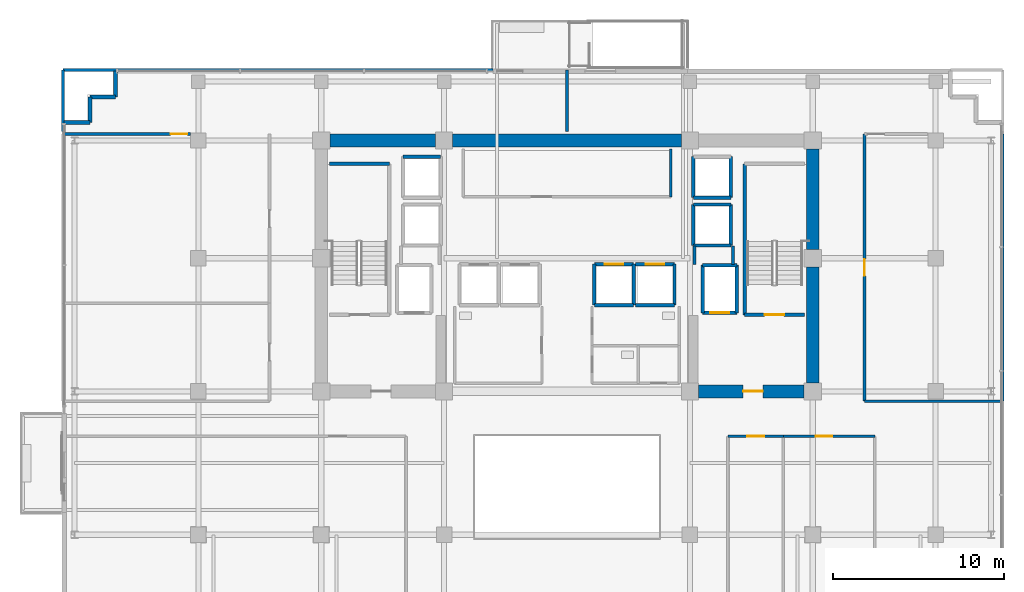
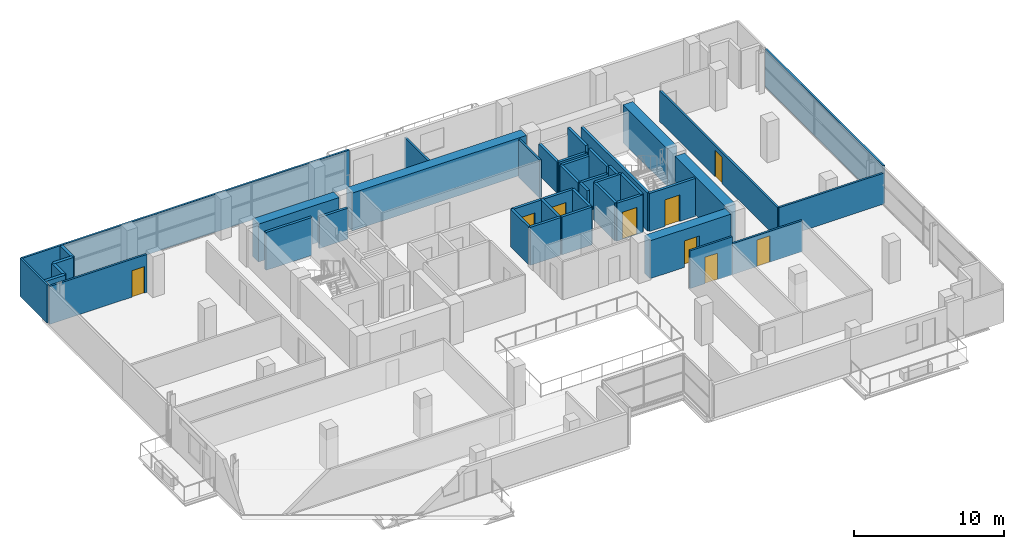
# One storey, part 22 of 28: 43 walls, 9 doors, 9 openings.
"""IFC4 building model written with IfcOpenShell, lengths in metres."""

from ifc_helpers import new_model, si_unit, direction, frame, frame_2d, origin, place, context, subcontext, project, spatial, rectangle, extrude, source, transform, mapped, material, layer, layer_set, type_object, element, fill, save


model = new_model("IFC4")

# Units and contexts
model_context = context("Model", 3, precision=1e-05, world=origin(), true_north=direction((0.0, 1.0)))
body_context = subcontext(model_context, "Body", "Model", "MODEL_VIEW")
ifc_project = project(units=[si_unit("LENGTHUNIT", "METRE"), si_unit("AREAUNIT", "SQUARE_METRE"), si_unit("VOLUMEUNIT", "CUBIC_METRE"), si_unit("PLANEANGLEUNIT", "RADIAN"), si_unit("MASSUNIT", "GRAM", prefix="KILO")], contexts=[model_context])

# Site, building, storey
site_placement = place(None, origin())
site = spatial("IfcSite", under=ifc_project, at=site_placement, CompositionType="ELEMENT")
building_placement = place(site_placement, origin())
building = spatial("IfcBuilding", under=site, at=building_placement, Name="Zarnakvel Exchange Tower", CompositionType="ELEMENT")
storey_placement = place(building_placement, frame((0.0, 0.0, 90.10009765625)))
storey = spatial("IfcBuildingStorey", under=building, at=storey_placement, Name="L24", CompositionType="ELEMENT", Elevation=90.10009765625)

# Walls
ifc_material_1 = material(Name="Concrete C60/75", Category="concrete")
ifc_layer_1 = layer(ifc_material_1, 0.75)
ifc_layer_set_1 = layer_set([ifc_layer_1], Name="Concrete C60/75")
wall_type_1 = type_object("IfcWallType", Name="CW-C3", PredefinedType="SHEAR", material=ifc_layer_set_1)
wall_1_placement = place(storey_placement, frame((-13.89990234375, 13.5, 0.0), z_axis=(0.0, 0.0, 1.0), x_axis=(1.0, 0.0, 0.0)))
element("IfcWall", 1, at=wall_1_placement, inside=storey, type_object=wall_type_1, Name="L24 Rear Core Shear Wall N1 (CW-C3)", PredefinedType="SHEAR", context=body_context, shape_type="SweptSolid", body=[
    extrude(rectangle(XDim=6.199951171875, YDim=0.75, at=frame_2d((3.10009765625, 0.0))), origin(), (0.0, 0.0, 1.0), 3.074951171875),
])
wall_2_placement = place(storey_placement, frame((-6.699951171875, 13.5, 0.0), z_axis=(0.0, 0.0, 1.0), x_axis=(1.0, 0.0, 0.0)))
element("IfcWall", 2, at=wall_2_placement, inside=storey, type_object=wall_type_1, Name="L24 Rear Core Shear Wall N2 (CW-C3)", PredefinedType="SHEAR", context=body_context, shape_type="SweptSolid", body=[
    extrude(rectangle(XDim=13.39990234375, YDim=0.75, at=frame_2d((6.699951171875, 0.0))), origin(), (0.0, 0.0, 1.0), 3.074951171875),
])
wall_3_placement = place(storey_placement, frame((14.39990234375, -0.699951171875, 0.0), z_axis=(0.0, 0.0, 1.0), x_axis=(0.0, 1.0, 0.0)))
element("IfcWall", 3, at=wall_3_placement, inside=storey, type_object=wall_type_1, Name="L24 Rear Core Shear Wall E1 (CW-C3)", PredefinedType="SHEAR", context=body_context, shape_type="SweptSolid", body=[
    extrude(rectangle(XDim=6.800048828125, YDim=0.75, at=frame_2d((3.39990234375, 0.0))), origin(), (0.0, 0.0, 1.0), 3.074951171875),
])
wall_4_placement = place(storey_placement, frame((14.39990234375, 7.10009765625, 0.0), z_axis=(0.0, 0.0, 1.0), x_axis=(0.0, 1.0, 0.0)))
element("IfcWall", 4, at=wall_4_placement, inside=storey, type_object=wall_type_1, Name="L24 Rear Core Shear Wall E2 (CW-C3)", PredefinedType="SHEAR", context=body_context, shape_type="SweptSolid", body=[
    extrude(rectangle(XDim=5.89990234375, YDim=0.75, at=frame_2d((2.949951171875, 0.0))), origin(), (0.0, 0.0, 1.0), 3.074951171875),
])

# Wall, opening, door
wall_5_placement = place(storey_placement, frame((13.89990234375, -1.199951171875, 0.0), z_axis=(0.0, 0.0, 1.0), x_axis=(-1.0, 0.0, 0.0)))
wall_5 = element("IfcWall", 5, at=wall_5_placement, inside=storey, type_object=wall_type_1, Name="L24 Rear Core Shear Wall SE (CW-C3)", PredefinedType="SHEAR", context=body_context, shape_type="SweptSolid", body=[
    extrude(rectangle(XDim=6.199951171875, YDim=0.75, at=frame_2d((3.10009765625, 0.0))), origin(), (0.0, 0.0, 1.0), 3.074951171875),
])
opening_1_placement = place(wall_5_placement, frame((2.425048828125, 0.0, 0.0)))
opening_1 = element("IfcOpeningElement", 6, at=opening_1_placement, cuts=wall_5, Name="Opening D-L24-04", PredefinedType="OPENING", context=body_context, shape_type="SweptSolid", body=[
    extrude(rectangle(XDim=1.14990234375, YDim=2.14990234375, at=frame_2d((0.574951171875, 1.074951171875))), frame((0.0, 0.385009765625, 0.0), z_axis=(0.0, -1.0, 0.0), x_axis=(1.0, 0.0, 0.0)), (0.0, 0.0, 1.0), 0.77001953125),
])
ifc_material_2 = material(Name="Painted Galvanised Steel S355", Category="steel")
door_type_1 = type_object("IfcDoorType", Name="DT-04", OperationType="NOTDEFINED", PredefinedType="DOOR", material=ifc_material_2)
shared_shape_1 = source(origin(), body_context, "Body", "SweptSolid", [
    extrude(rectangle(XDim=1.14990234375, YDim=2.14990234375, at=frame_2d((0.574951171875, 1.074951171875))), frame((0.0, 0.02490234375, 0.0), z_axis=(0.0, -1.0, 0.0), x_axis=(1.0, 0.0, 0.0)), (0.0, 0.0, 1.0), 0.050048828125),
])
door_1_placement = place(opening_1_placement, origin())
door_1 = element("IfcDoor", 7, at=door_1_placement, inside=storey, type_object=door_type_1, Name="L24 Firefighting Lobby East Door D-L24-04", OperationType="SINGLE_SWING_RIGHT", OverallHeight=2.14990234375, OverallWidth=1.14990234375, PredefinedType="DOOR", context=body_context, shape_type="MappedRepresentation", body=[
    mapped(shared_shape_1, transform((0.0, 0.0, 0.0), x_axis=(1.0, 0.0, 0.0), y_axis=(0.0, 1.0, 0.0), z_axis=(0.0, 0.0, 1.0), scale=1.0)),
])
fill(opening_1, door_1)

# Walls
ifc_material_3 = material(Name="Precast concrete C40/50", Category="concrete")
ifc_layer_2 = layer(ifc_material_3, 0.239990234375)
ifc_layer_set_2 = layer_set([ifc_layer_2], Name="Precast concrete C40/50")
wall_type_2 = type_object("IfcWallType", Name="EW-02", PredefinedType="SOLIDWALL", material=ifc_layer_set_2)
for number, where, z_axis, x_axis, name in (
    (8, (-27.9599609375, 14.56005859375, 0.0), (0.0, 0.0, 1.0), (-1.0, 0.0, 0.0), "L24 Exterior Precast Spandrel Wall EWC-L24-03 (EW-02)"),
    (9, (-27.9599609375, 16.06005859375, 0.0), (0.0, 0.0, 1.0), (0.0, -1.0, 0.0), "L24 Exterior Precast Spandrel Wall EWC-L24-04 (EW-02)"),
    (10, (-26.4599609375, 16.06005859375, 0.0), (0.0, 0.0, 1.0), (-1.0, 0.0, 0.0), "L24 Exterior Precast Spandrel Wall EWC-L24-05 (EW-02)"),
    (11, (-26.4599609375, 17.56005859375, 0.0), (0.0, 0.0, 1.0), (0.0, -1.0, 0.0), "L24 Exterior Precast Spandrel Wall EWC-L24-06 (EW-02)"),
):
    element("IfcWall", number, at=place(storey_placement, frame(where, z_axis=z_axis, x_axis=x_axis)), inside=storey, type_object=wall_type_2, Name=name, PredefinedType="SOLIDWALL", context=body_context, shape_type="SweptSolid", body=[
        extrude(rectangle(XDim=1.5, YDim=0.239990234375, at=frame_2d((0.75, 0.0))), origin(), (0.0, 0.0, 1.0), 3.074951171875),
    ])
ifc_material_4 = material(Name="Fire-Rated Gypsum Stud Partition", Category="gypsum")
ifc_layer_3 = layer(ifc_material_4, 0.14990234375)
ifc_layer_set_3 = layer_set([ifc_layer_3], Name="Fire-Rated Gypsum Stud Partition")
wall_type_3 = type_object("IfcWallType", Name="PT-01", PredefinedType="PARTITIONING", material=ifc_layer_set_3)
wall_6_placement = place(storey_placement, frame((6.080078125, 13.0, 0.0), z_axis=(0.0, 0.0, 1.0), x_axis=(0.0, -1.0, 0.0)))
element("IfcWall", 12, at=wall_6_placement, inside=storey, type_object=wall_type_3, Name="L24 Partition Wall PWALL-L24-013 (PT-01)", PredefinedType="PARTITIONING", context=body_context, shape_type="SweptSolid", body=[
    extrude(rectangle(XDim=2.800048828125, YDim=0.14990234375, at=frame_2d((1.39990234375, 0.0))), origin(), (0.0, 0.0, 1.0), 3.074951171875),
])

# Wall, opening, door
wall_7_placement = place(storey_placement, frame((9.429931640625, -3.830078125, 0.0), z_axis=(0.0, 0.0, 1.0), x_axis=(1.0, 0.0, 0.0)))
wall_7 = element("IfcWall", 13, at=wall_7_placement, inside=storey, type_object=wall_type_3, Name="L24 Partition Wall PWALL-L24-033 (PT-01)", PredefinedType="PARTITIONING", context=body_context, shape_type="SweptSolid", body=[
    extrude(rectangle(XDim=3.245361328125, YDim=0.14990234375, at=frame_2d((1.62255859375, 0.0))), origin(), (0.0, 0.0, 1.0), 3.074951171875),
])
opening_2_placement = place(wall_7_placement, frame((1.133056640625, 0.0, 0.0)))
opening_2 = element("IfcOpeningElement", 14, at=opening_2_placement, cuts=wall_7, Name="Opening D-L24-12", PredefinedType="OPENING", context=body_context, shape_type="SweptSolid", body=[
    extrude(rectangle(XDim=0.97998046875, YDim=2.14990234375, at=frame_2d((0.489990234375, 1.074951171875))), frame((0.0, 0.0849609375, 0.0), z_axis=(0.0, -1.0, 0.0), x_axis=(1.0, 0.0, 0.0)), (0.0, 0.0, 1.0), 0.169921875),
])
ifc_material_5 = material(Name="Timber Acoustic Veneer", Category="wood")
door_type_2 = type_object("IfcDoorType", Name="DT-05", OperationType="NOTDEFINED", PredefinedType="DOOR", material=ifc_material_5)
shared_shape_2 = source(origin(), body_context, "Body", "SweptSolid", [
    extrude(rectangle(XDim=0.97998046875, YDim=2.14990234375, at=frame_2d((0.489990234375, 1.074951171875))), frame((0.0, 0.02490234375, 0.0), z_axis=(0.0, -1.0, 0.0), x_axis=(1.0, 0.0, 0.0)), (0.0, 0.0, 1.0), 0.050048828125),
])
door_2_placement = place(opening_2_placement, origin())
door_2 = element("IfcDoor", 15, at=door_2_placement, inside=storey, type_object=door_type_2, Name="L24 Executive Office Door D-L24-12", OperationType="SINGLE_SWING_RIGHT", OverallHeight=2.14990234375, OverallWidth=0.97998046875, PredefinedType="DOOR", context=body_context, shape_type="MappedRepresentation", body=[
    mapped(shared_shape_2, transform((0.0, 0.0, 0.0), x_axis=(1.0, 0.0, 0.0), y_axis=(0.0, 1.0, 0.0), z_axis=(0.0, 0.0, 1.0), scale=1.0)),
])
fill(opening_2, door_2)

wall_8_placement = place(storey_placement, frame((12.67529296875, -3.830078125, 0.0), z_axis=(0.0, 0.0, 1.0), x_axis=(1.0, 0.0, 0.0)))
wall_8 = element("IfcWall", 16, at=wall_8_placement, inside=storey, type_object=wall_type_3, Name="L24 Partition Wall PWALL-L24-037 (PT-01)", PredefinedType="PARTITIONING", context=body_context, shape_type="SweptSolid", body=[
    extrude(rectangle(XDim=5.36669921875, YDim=0.14990234375, at=frame_2d((2.683349609375, 0.0))), origin(), (0.0, 0.0, 1.0), 2.514892578125),
])
opening_3_placement = place(wall_8_placement, frame((1.8876953125, 0.0, 0.0)))
opening_3 = element("IfcOpeningElement", 17, at=opening_3_placement, cuts=wall_8, Name="Opening D-L24-13", PredefinedType="OPENING", context=body_context, shape_type="SweptSolid", body=[
    extrude(rectangle(XDim=0.97998046875, YDim=2.14990234375, at=frame_2d((0.489990234375, 1.074951171875))), frame((0.0, 0.0849609375, 0.0), z_axis=(0.0, -1.0, 0.0), x_axis=(1.0, 0.0, 0.0)), (0.0, 0.0, 1.0), 0.169921875),
])
door_3_placement = place(opening_3_placement, origin())
door_3 = element("IfcDoor", 18, at=door_3_placement, inside=storey, type_object=door_type_2, Name="L24 Boardroom Door D-L24-13", OperationType="SINGLE_SWING_LEFT", OverallHeight=2.14990234375, OverallWidth=0.97998046875, PredefinedType="DOOR", context=body_context, shape_type="MappedRepresentation", body=[
    mapped(shared_shape_2, transform((0.0, 0.0, 0.0), x_axis=(1.0, 0.0, 0.0), y_axis=(0.0, 1.0, 0.0), z_axis=(0.0, 0.0, 1.0), scale=1.0)),
])
fill(opening_3, door_3)

wall_9_placement = place(storey_placement, frame((-29.530029296875, 13.8798828125, 0.0), z_axis=(0.0, 0.0, 1.0), x_axis=(1.0, 0.0, 0.0)))
wall_9 = element("IfcWall", 19, at=wall_9_placement, inside=storey, type_object=wall_type_3, Name="L24 Partition Wall PWALL-L24-046 (PT-01)", PredefinedType="PARTITIONING", context=body_context, shape_type="SweptSolid", body=[
    extrude(rectangle(XDim=7.4599609375, YDim=0.14990234375, at=frame_2d((3.72998046875, 0.0))), origin(), (0.0, 0.0, 1.0), 3.074951171875),
])
opening_4_placement = place(wall_9_placement, frame((6.300048828125, 0.0, 0.0)))
opening_4 = element("IfcOpeningElement", 20, at=opening_4_placement, cuts=wall_9, Name="Opening D-L24-18", PredefinedType="OPENING", context=body_context, shape_type="SweptSolid", body=[
    extrude(rectangle(XDim=0.97998046875, YDim=2.14990234375, at=frame_2d((0.489990234375, 1.074951171875))), frame((0.0, 0.0849609375, 0.0), z_axis=(0.0, -1.0, 0.0), x_axis=(1.0, 0.0, 0.0)), (0.0, 0.0, 1.0), 0.169921875),
])
door_4_placement = place(opening_4_placement, origin())
door_4 = element("IfcDoor", 21, at=door_4_placement, inside=storey, type_object=door_type_2, Name="L24 Market Data Suite Door D-L24-18", OperationType="SINGLE_SWING_RIGHT", OverallHeight=2.14990234375, OverallWidth=0.97998046875, PredefinedType="DOOR", context=body_context, shape_type="MappedRepresentation", body=[
    mapped(shared_shape_2, transform((0.0, 0.0, 0.0), x_axis=(1.0, 0.0, 0.0), y_axis=(0.0, 1.0, 0.0), z_axis=(0.0, 0.0, 1.0), scale=1.0)),
])
fill(opening_4, door_4)

# Wall
wall_10_placement = place(storey_placement, frame((25.530029296875, -1.77001953125, 0.0), z_axis=(0.0, 0.0, 1.0), x_axis=(-1.0, 0.0, 0.0)))
element("IfcWall", 22, at=wall_10_placement, inside=storey, type_object=wall_type_3, Name="L24 Partition Wall PWALL-L24-049 (PT-01)", PredefinedType="PARTITIONING", context=body_context, shape_type="SweptSolid", body=[
    extrude(rectangle(XDim=8.10009765625, YDim=0.14990234375, at=frame_2d((4.050048828125, 0.0))), origin(), (0.0, 0.0, 1.0), 2.514892578125),
])

# Wall, opening, door
wall_11_placement = place(storey_placement, frame((17.429931640625, -1.77001953125, 0.0), z_axis=(0.0, 0.0, 1.0), x_axis=(0.0, 1.0, 0.0)))
wall_11 = element("IfcWall", 23, at=wall_11_placement, inside=storey, type_object=wall_type_3, Name="L24 Partition Wall PWALL-L24-051 (PT-01)", PredefinedType="PARTITIONING", context=body_context, shape_type="SweptSolid", body=[
    extrude(rectangle(XDim=15.64990234375, YDim=0.14990234375, at=frame_2d((7.824951171875, 0.0))), origin(), (0.0, 0.0, 1.0), 2.514892578125),
])
opening_5_placement = place(wall_11_placement, frame((7.3349609375, 0.0, 0.0)))
opening_5 = element("IfcOpeningElement", 24, at=opening_5_placement, cuts=wall_11, Name="Opening D-L24-17", PredefinedType="OPENING", context=body_context, shape_type="SweptSolid", body=[
    extrude(rectangle(XDim=0.97998046875, YDim=2.14990234375, at=frame_2d((0.489990234375, 1.074951171875))), frame((0.0, 0.0849609375, 0.0), z_axis=(0.0, -1.0, 0.0), x_axis=(1.0, 0.0, 0.0)), (0.0, 0.0, 1.0), 0.169921875),
])
door_5_placement = place(opening_5_placement, origin())
door_5 = element("IfcDoor", 25, at=door_5_placement, inside=storey, type_object=door_type_2, Name="L24 Staff Pantry Door D-L24-17", OperationType="SINGLE_SWING_LEFT", OverallHeight=2.14990234375, OverallWidth=0.97998046875, PredefinedType="DOOR", context=body_context, shape_type="MappedRepresentation", body=[
    mapped(shared_shape_2, transform((0.0, 0.0, 0.0), x_axis=(1.0, 0.0, 0.0), y_axis=(0.0, 1.0, 0.0), z_axis=(0.0, 0.0, 1.0), scale=1.0)),
])
fill(opening_5, door_5)

# Walls
wall_12_placement = place(storey_placement, frame((25.530029296875, 13.8798828125, 0.0), z_axis=(0.0, 0.0, 1.0), x_axis=(0.0, -1.0, 0.0)))
element("IfcWall", 26, at=wall_12_placement, inside=storey, type_object=wall_type_3, Name="L24 Partition Wall PWALL-L24-052 (PT-01)", PredefinedType="PARTITIONING", context=body_context, shape_type="SweptSolid", body=[
    extrude(rectangle(XDim=15.64990234375, YDim=0.14990234375, at=frame_2d((7.824951171875, 0.0))), origin(), (0.0, 0.0, 1.0), 3.074951171875),
])
wall_13_placement = place(storey_placement, frame((-29.530029296875, 17.6298828125, 0.0), z_axis=(0.0, 0.0, 1.0), x_axis=(1.0, 0.0, 0.0)))
element("IfcWall", 27, at=wall_13_placement, inside=storey, type_object=wall_type_3, Name="L24 Partition Wall PWALL-L24-053 (PT-01)", PredefinedType="PARTITIONING", context=body_context, shape_type="SweptSolid", body=[
    extrude(rectangle(XDim=25.179931640625, YDim=0.14990234375, at=frame_2d((12.58984375, 0.0))), origin(), (0.0, 0.0, 1.0), 3.074951171875),
])
wall_14_placement = place(storey_placement, frame((-29.530029296875, 14.030029296875, 0.0), z_axis=(0.0, 0.0, 1.0), x_axis=(0.0, 1.0, 0.0)))
element("IfcWall", 28, at=wall_14_placement, inside=storey, type_object=wall_type_3, Name="L24 Partition Wall PWALL-L24-054 (PT-01)", PredefinedType="PARTITIONING", context=body_context, shape_type="SweptSolid", body=[
    extrude(rectangle(XDim=3.599853515625, YDim=0.14990234375, at=frame_2d((1.7998046875, 0.0))), origin(), (0.0, 0.0, 1.0), 3.074951171875),
])
wall_15_placement = place(storey_placement, frame((0.0, 17.6298828125, 0.0), z_axis=(0.0, 0.0, 1.0), x_axis=(0.0, -1.0, 0.0)))
element("IfcWall", 29, at=wall_15_placement, inside=storey, type_object=wall_type_3, Name="L24 Partition Wall PWALL-L24-055 (PT-01)", PredefinedType="PARTITIONING", context=body_context, shape_type="SweptSolid", body=[
    extrude(rectangle(XDim=3.599853515625, YDim=0.14990234375, at=frame_2d((1.7998046875, 0.0))), origin(), (0.0, 0.0, 1.0), 2.56494140625),
])
ifc_layer_4 = layer(ifc_material_4, 0.179931640625)
ifc_layer_set_4 = layer_set([ifc_layer_4], Name="Fire-Rated Gypsum Stud Partition")
wall_type_4 = type_object("IfcWallType", Name="PT-02", PredefinedType="PARTITIONING", material=ifc_layer_set_4)
wall_16_placement = place(storey_placement, frame((7.469970703125, 6.239990234375, 0.0), z_axis=(0.0, 0.0, 1.0), x_axis=(0.0, 1.0, 0.0)))
element("IfcWall", 30, at=wall_16_placement, inside=storey, type_object=wall_type_4, Name="L24 Partition Wall PWALL-L24-009 (PT-02)", PredefinedType="PARTITIONING", context=body_context, shape_type="SweptSolid", body=[
    extrude(rectangle(XDim=1.090087890625, YDim=0.179931640625, at=frame_2d((0.544921875, 0.0))), origin(), (0.0, 0.0, 1.0), 2.514892578125),
])
wall_17_placement = place(storey_placement, frame((9.72998046875, 7.330078125, 0.0), z_axis=(0.0, 0.0, 1.0), x_axis=(0.0, -1.0, 0.0)))
element("IfcWall", 31, at=wall_17_placement, inside=storey, type_object=wall_type_4, Name="L24 Partition Wall PWALL-L24-010 (PT-02)", PredefinedType="PARTITIONING", context=body_context, shape_type="SweptSolid", body=[
    extrude(rectangle(XDim=1.090087890625, YDim=0.179931640625, at=frame_2d((0.544921875, 0.0))), origin(), (0.0, 0.0, 1.0), 3.074951171875),
])

# Wall, opening, door
ifc_material_6 = material(Name="Concrete C40/50", Category="concrete")
ifc_layer_5 = layer(ifc_material_6, 0.199951171875)
ifc_layer_set_5 = layer_set([ifc_layer_5], Name="Concrete C40/50")
wall_type_5 = type_object("IfcWallType", Name="SW-01", PredefinedType="SOLIDWALL", material=ifc_layer_set_5)
wall_18_placement = place(storey_placement, frame((9.949951171875, 3.39990234375, 0.0), z_axis=(0.0, 0.0, 1.0), x_axis=(-1.0, 0.0, 0.0)))
wall_18 = element("IfcWall", 32, at=wall_18_placement, inside=storey, type_object=wall_type_5, Name="L24 FL-02 Hoistway Wall South", PredefinedType="SOLIDWALL", context=body_context, shape_type="SweptSolid", body=[
    extrude(rectangle(XDim=2.0, YDim=0.199951171875, at=frame_2d((1.0, 0.0))), origin(), (0.0, 0.0, 1.0), 3.074951171875),
])
opening_6_placement = place(wall_18_placement, frame((0.449951171875, 0.0, 0.0)))
opening_6 = element("IfcOpeningElement", 33, at=opening_6_placement, cuts=wall_18, Name="Opening LD-FL-02-L24", PredefinedType="OPENING", context=body_context, shape_type="SweptSolid", body=[
    extrude(rectangle(XDim=1.10009765625, YDim=2.199951171875, at=frame_2d((0.550048828125, 1.10009765625))), frame((0.0, 0.10986328125, 0.0), z_axis=(0.0, -1.0, 0.0), x_axis=(1.0, 0.0, 0.0)), (0.0, 0.0, 1.0), 0.219970703125),
])
ifc_material_7 = material(Name="Brushed Stainless Steel", Category="steel")
door_type_3 = type_object("IfcDoorType", Name="LDT-01", OperationType="NOTDEFINED", PredefinedType="DOOR", material=ifc_material_7)
shared_shape_3 = source(origin(), body_context, "Body", "SweptSolid", [
    extrude(rectangle(XDim=1.10009765625, YDim=2.199951171875, at=frame_2d((0.550048828125, 1.10009765625))), frame((0.0, 0.02490234375, 0.0), z_axis=(0.0, -1.0, 0.0), x_axis=(1.0, 0.0, 0.0)), (0.0, 0.0, 1.0), 0.050048828125),
])
door_6_placement = place(opening_6_placement, origin())
door_6 = element("IfcDoor", 34, at=door_6_placement, inside=storey, type_object=door_type_3, Name="L24 FL-02 Lift Landing Door LD-FL-02-L24", OperationType="DOUBLE_DOOR_SLIDING", OverallHeight=2.199951171875, OverallWidth=1.10009765625, PredefinedType="DOOR", context=body_context, shape_type="MappedRepresentation", body=[
    mapped(shared_shape_3, transform((0.0, 0.0, 0.0), x_axis=(1.0, 0.0, 0.0), y_axis=(0.0, 1.0, 0.0), z_axis=(0.0, 0.0, 1.0), scale=1.0)),
])
fill(opening_6, door_6)

# Walls
wall_19_placement = place(storey_placement, frame((7.949951171875, 6.199951171875, 0.0), z_axis=(0.0, 0.0, 1.0), x_axis=(1.0, 0.0, 0.0)))
element("IfcWall", 35, at=wall_19_placement, inside=storey, type_object=wall_type_5, Name="L24 FL-02 Hoistway Wall North", PredefinedType="SOLIDWALL", context=body_context, shape_type="SweptSolid", body=[
    extrude(rectangle(XDim=2.0, YDim=0.199951171875, at=frame_2d((1.0, 0.0))), origin(), (0.0, 0.0, 1.0), 3.074951171875),
])
for number, where, z_axis, x_axis, name in (
    (36, (7.949951171875, 3.39990234375, 0.0), (0.0, 0.0, 1.0), (0.0, 1.0, 0.0), "L24 FL-02 Hoistway Wall West"),
    (37, (9.949951171875, 6.199951171875, 0.0), (0.0, 0.0, 1.0), (0.0, -1.0, 0.0), "L24 FL-02 Hoistway Wall East"),
):
    element("IfcWall", number, at=place(storey_placement, frame(where, z_axis=z_axis, x_axis=x_axis)), inside=storey, type_object=wall_type_5, Name=name, PredefinedType="SOLIDWALL", context=body_context, shape_type="SweptSolid", body=[
        extrude(rectangle(XDim=2.800048828125, YDim=0.199951171875, at=frame_2d((1.39990234375, 0.0))), origin(), (0.0, 0.0, 1.0), 3.074951171875),
    ])
wall_20_placement = place(storey_placement, frame((3.89990234375, 3.85009765625, 0.0), z_axis=(0.0, 0.0, 1.0), x_axis=(-1.0, 0.0, 0.0)))
element("IfcWall", 38, at=wall_20_placement, inside=storey, type_object=wall_type_5, Name="L24 PL-07 Hoistway Wall South", PredefinedType="SOLIDWALL", context=body_context, shape_type="SweptSolid", body=[
    extrude(rectangle(XDim=2.2998046875, YDim=0.199951171875, at=frame_2d((1.14990234375, 0.0))), origin(), (0.0, 0.0, 1.0), 3.074951171875),
])

# Wall, opening, door
wall_21_placement = place(storey_placement, frame((1.60009765625, 6.25, 0.0), z_axis=(0.0, 0.0, 1.0), x_axis=(1.0, 0.0, 0.0)))
wall_21 = element("IfcWall", 39, at=wall_21_placement, inside=storey, type_object=wall_type_5, Name="L24 PL-07 Hoistway Wall North", PredefinedType="SOLIDWALL", context=body_context, shape_type="SweptSolid", body=[
    extrude(rectangle(XDim=2.2998046875, YDim=0.199951171875, at=frame_2d((1.14990234375, 0.0))), origin(), (0.0, 0.0, 1.0), 3.074951171875),
])
opening_7_placement = place(wall_21_placement, frame((0.60009765625, 0.0, 0.0)))
opening_7 = element("IfcOpeningElement", 40, at=opening_7_placement, cuts=wall_21, Name="Opening LD-PL-07-L24", PredefinedType="OPENING", context=body_context, shape_type="SweptSolid", body=[
    extrude(rectangle(XDim=1.10009765625, YDim=2.199951171875, at=frame_2d((0.550048828125, 1.10009765625))), frame((0.0, 0.10986328125, 0.0), z_axis=(0.0, -1.0, 0.0), x_axis=(1.0, 0.0, 0.0)), (0.0, 0.0, 1.0), 0.219970703125),
])
ifc_material_8 = material(Name="Architectural Bronze Anodised Aluminium", Category="aluminium")
door_type_4 = type_object("IfcDoorType", Name="LDT-02", OperationType="NOTDEFINED", PredefinedType="DOOR", material=ifc_material_8)
door_7_placement = place(opening_7_placement, origin())
door_7 = element("IfcDoor", 41, at=door_7_placement, inside=storey, type_object=door_type_4, Name="L24 PL-07 Lift Landing Door LD-PL-07-L24", OperationType="DOUBLE_DOOR_SLIDING", OverallHeight=2.199951171875, OverallWidth=1.10009765625, PredefinedType="DOOR", context=body_context, shape_type="MappedRepresentation", body=[
    mapped(shared_shape_3, transform((0.0, 0.0, 0.0), x_axis=(1.0, 0.0, 0.0), y_axis=(0.0, 1.0, 0.0), z_axis=(0.0, 0.0, 1.0), scale=1.0)),
])
fill(opening_7, door_7)

# Walls
for number, where, z_axis, x_axis, name in (
    (42, (1.60009765625, 3.85009765625, 0.0), (0.0, 0.0, 1.0), (0.0, 1.0, 0.0), "L24 PL-07 Hoistway Wall West"),
    (43, (3.89990234375, 6.25, 0.0), (0.0, 0.0, 1.0), (0.0, -1.0, 0.0), "L24 PL-07 Hoistway Wall East"),
):
    element("IfcWall", number, at=place(storey_placement, frame(where, z_axis=z_axis, x_axis=x_axis)), inside=storey, type_object=wall_type_5, Name=name, PredefinedType="SOLIDWALL", context=body_context, shape_type="SweptSolid", body=[
        extrude(rectangle(XDim=2.39990234375, YDim=0.199951171875, at=frame_2d((1.199951171875, 0.0))), origin(), (0.0, 0.0, 1.0), 3.074951171875),
    ])
wall_22_placement = place(storey_placement, frame((6.300048828125, 3.85009765625, 0.0), z_axis=(0.0, 0.0, 1.0), x_axis=(-1.0, 0.0, 0.0)))
element("IfcWall", 44, at=wall_22_placement, inside=storey, type_object=wall_type_5, Name="L24 PL-08 Hoistway Wall South", PredefinedType="SOLIDWALL", context=body_context, shape_type="SweptSolid", body=[
    extrude(rectangle(XDim=2.300048828125, YDim=0.199951171875, at=frame_2d((1.14990234375, 0.0))), origin(), (0.0, 0.0, 1.0), 3.074951171875),
])

# Wall, opening, door
wall_23_placement = place(storey_placement, frame((4.0, 6.25, 0.0), z_axis=(0.0, 0.0, 1.0), x_axis=(1.0, 0.0, 0.0)))
wall_23 = element("IfcWall", 45, at=wall_23_placement, inside=storey, type_object=wall_type_5, Name="L24 PL-08 Hoistway Wall North", PredefinedType="SOLIDWALL", context=body_context, shape_type="SweptSolid", body=[
    extrude(rectangle(XDim=2.300048828125, YDim=0.199951171875, at=frame_2d((1.14990234375, 0.0))), origin(), (0.0, 0.0, 1.0), 3.074951171875),
])
opening_8_placement = place(wall_23_placement, frame((0.60009765625, 0.0, 0.0)))
opening_8 = element("IfcOpeningElement", 46, at=opening_8_placement, cuts=wall_23, Name="Opening LD-PL-08-L24", PredefinedType="OPENING", context=body_context, shape_type="SweptSolid", body=[
    extrude(rectangle(XDim=1.10009765625, YDim=2.199951171875, at=frame_2d((0.550048828125, 1.10009765625))), frame((0.0, 0.10986328125, 0.0), z_axis=(0.0, -1.0, 0.0), x_axis=(1.0, 0.0, 0.0)), (0.0, 0.0, 1.0), 0.219970703125),
])
door_8_placement = place(opening_8_placement, origin())
door_8 = element("IfcDoor", 47, at=door_8_placement, inside=storey, type_object=door_type_4, Name="L24 PL-08 Lift Landing Door LD-PL-08-L24", OperationType="DOUBLE_DOOR_SLIDING", OverallHeight=2.199951171875, OverallWidth=1.10009765625, PredefinedType="DOOR", context=body_context, shape_type="MappedRepresentation", body=[
    mapped(shared_shape_3, transform((0.0, 0.0, 0.0), x_axis=(1.0, 0.0, 0.0), y_axis=(0.0, 1.0, 0.0), z_axis=(0.0, 0.0, 1.0), scale=1.0)),
])
fill(opening_8, door_8)

# Walls
wall_24_placement = place(storey_placement, frame((6.300048828125, 6.25, 0.0), z_axis=(0.0, 0.0, 1.0), x_axis=(0.0, -1.0, 0.0)))
element("IfcWall", 48, at=wall_24_placement, inside=storey, type_object=wall_type_5, Name="L24 PL-08 Hoistway Wall East", PredefinedType="SOLIDWALL", context=body_context, shape_type="SweptSolid", body=[
    extrude(rectangle(XDim=2.39990234375, YDim=0.199951171875, at=frame_2d((1.199951171875, 0.0))), origin(), (0.0, 0.0, 1.0), 3.074951171875),
])
for number, where, z_axis, x_axis, name in (
    (49, (-9.60009765625, 12.550048828125, 0.0), (0.0, 0.0, 1.0), (1.0, 0.0, 0.0), "L24 PL-10 Hoistway Wall North"),
    (50, (9.60009765625, 7.35009765625, 0.0), (0.0, 0.0, 1.0), (-1.0, 0.0, 0.0), "L24 PL-11 Hoistway Wall South"),
    (51, (7.39990234375, 9.75, 0.0), (0.0, 0.0, 1.0), (1.0, 0.0, 0.0), "L24 PL-11 Hoistway Wall North"),
):
    element("IfcWall", number, at=place(storey_placement, frame(where, z_axis=z_axis, x_axis=x_axis)), inside=storey, type_object=wall_type_5, Name=name, PredefinedType="SOLIDWALL", context=body_context, shape_type="SweptSolid", body=[
        extrude(rectangle(XDim=2.2001953125, YDim=0.199951171875, at=frame_2d((1.10009765625, 0.0))), origin(), (0.0, 0.0, 1.0), 2.514892578125),
    ])
wall_25_placement = place(storey_placement, frame((7.39990234375, 7.35009765625, 0.0), z_axis=(0.0, 0.0, 1.0), x_axis=(0.0, 1.0, 0.0)))
element("IfcWall", 52, at=wall_25_placement, inside=storey, type_object=wall_type_5, Name="L24 PL-11 Hoistway Wall West", PredefinedType="SOLIDWALL", context=body_context, shape_type="SweptSolid", body=[
    extrude(rectangle(XDim=2.39990234375, YDim=0.199951171875, at=frame_2d((1.199951171875, 0.0))), origin(), (0.0, 0.0, 1.0), 2.514892578125),
])
wall_26_placement = place(storey_placement, frame((9.60009765625, 9.75, 0.0), z_axis=(0.0, 0.0, 1.0), x_axis=(0.0, -1.0, 0.0)))
element("IfcWall", 53, at=wall_26_placement, inside=storey, type_object=wall_type_5, Name="L24 PL-11 Hoistway Wall East", PredefinedType="SOLIDWALL", context=body_context, shape_type="SweptSolid", body=[
    extrude(rectangle(XDim=2.39990234375, YDim=0.199951171875, at=frame_2d((1.199951171875, 0.0))), origin(), (0.0, 0.0, 1.0), 3.074951171875),
])
wall_27_placement = place(storey_placement, frame((9.60009765625, 10.14990234375, 0.0), z_axis=(0.0, 0.0, 1.0), x_axis=(-1.0, 0.0, 0.0)))
element("IfcWall", 54, at=wall_27_placement, inside=storey, type_object=wall_type_5, Name="L24 PL-12 Hoistway Wall South", PredefinedType="SOLIDWALL", context=body_context, shape_type="SweptSolid", body=[
    extrude(rectangle(XDim=2.2001953125, YDim=0.199951171875, at=frame_2d((1.10009765625, 0.0))), origin(), (0.0, 0.0, 1.0), 2.514892578125),
])
wall_28_placement = place(storey_placement, frame((7.39990234375, 10.14990234375, 0.0), z_axis=(0.0, 0.0, 1.0), x_axis=(0.0, 1.0, 0.0)))
element("IfcWall", 55, at=wall_28_placement, inside=storey, type_object=wall_type_5, Name="L24 PL-12 Hoistway Wall West", PredefinedType="SOLIDWALL", context=body_context, shape_type="SweptSolid", body=[
    extrude(rectangle(XDim=2.400146484375, YDim=0.199951171875, at=frame_2d((1.2001953125, 0.0))), origin(), (0.0, 0.0, 1.0), 2.514892578125),
])
wall_29_placement = place(storey_placement, frame((9.60009765625, 12.550048828125, 0.0), z_axis=(0.0, 0.0, 1.0), x_axis=(0.0, -1.0, 0.0)))
element("IfcWall", 56, at=wall_29_placement, inside=storey, type_object=wall_type_5, Name="L24 PL-12 Hoistway Wall East", PredefinedType="SOLIDWALL", context=body_context, shape_type="SweptSolid", body=[
    extrude(rectangle(XDim=2.400146484375, YDim=0.199951171875, at=frame_2d((1.2001953125, 0.0))), origin(), (0.0, 0.0, 1.0), 3.074951171875),
])
ifc_layer_6 = layer(ifc_material_6, 0.199951171875)
ifc_layer_set_6 = layer_set([ifc_layer_6], Name="Concrete C40/50")
wall_type_6 = type_object("IfcWallType", Name="SW-02", PredefinedType="SOLIDWALL", material=ifc_layer_set_6)
wall_30_placement = place(storey_placement, frame((-13.929931640625, 12.1298828125, 0.0), z_axis=(0.0, 0.0, 1.0), x_axis=(1.0, 0.0, 0.0)))
element("IfcWall", 57, at=wall_30_placement, inside=storey, type_object=wall_type_6, Name="L24 Stairwell Core Wall PWALL-L24-002 (SW-02)", PredefinedType="SOLIDWALL", context=body_context, shape_type="SweptSolid", body=[
    extrude(rectangle(XDim=3.52001953125, YDim=0.199951171875, at=frame_2d((1.760009765625, 0.0))), origin(), (0.0, 0.0, 1.0), 3.074951171875),
])

# Wall, opening, door
wall_31_placement = place(storey_placement, frame((13.929931640625, 3.2900390625, 0.0), z_axis=(0.0, 0.0, 1.0), x_axis=(-1.0, 0.0, 0.0)))
wall_31 = element("IfcWall", 58, at=wall_31_placement, inside=storey, type_object=wall_type_6, Name="L24 Stairwell Core Wall PWALL-L24-004 (SW-02)", PredefinedType="SOLIDWALL", context=body_context, shape_type="SweptSolid", body=[
    extrude(rectangle(XDim=3.52001953125, YDim=0.199951171875, at=frame_2d((1.760009765625, 0.0))), origin(), (0.0, 0.0, 1.0), 3.074951171875),
])
opening_9_placement = place(wall_31_placement, frame((1.205078125, 0.0, 0.0)))
opening_9 = element("IfcOpeningElement", 59, at=opening_9_placement, cuts=wall_31, Name="Opening D-L24-02", PredefinedType="OPENING", context=body_context, shape_type="SweptSolid", body=[
    extrude(rectangle(XDim=1.14990234375, YDim=2.14990234375, at=frame_2d((0.574951171875, 1.074951171875))), frame((0.0, 0.10986328125, 0.0), z_axis=(0.0, -1.0, 0.0), x_axis=(1.0, 0.0, 0.0)), (0.0, 0.0, 1.0), 0.219970703125),
])
door_9_placement = place(opening_9_placement, origin())
door_9 = element("IfcDoor", 60, at=door_9_placement, inside=storey, type_object=door_type_1, Name="L24 Stairwell ST-02 Door D-L24-02", OperationType="SINGLE_SWING_RIGHT", OverallHeight=2.14990234375, OverallWidth=1.14990234375, PredefinedType="DOOR", context=body_context, shape_type="MappedRepresentation", body=[
    mapped(shared_shape_1, transform((0.0, 0.0, 0.0), x_axis=(1.0, 0.0, 0.0), y_axis=(0.0, 1.0, 0.0), z_axis=(0.0, 0.0, 1.0), scale=1.0)),
])
fill(opening_9, door_9)

# Wall
wall_32_placement = place(storey_placement, frame((10.409912109375, 3.2900390625, 0.0), z_axis=(0.0, 0.0, 1.0), x_axis=(0.0, 1.0, 0.0)))
element("IfcWall", 61, at=wall_32_placement, inside=storey, type_object=wall_type_6, Name="L24 Stairwell Core Wall PWALL-L24-006 (SW-02)", PredefinedType="SOLIDWALL", context=body_context, shape_type="SweptSolid", body=[
    extrude(rectangle(XDim=8.83984375, YDim=0.199951171875, at=frame_2d((4.419921875, 0.0))), origin(), (0.0, 0.0, 1.0), 3.074951171875),
])

save(model, "model.ifc")
